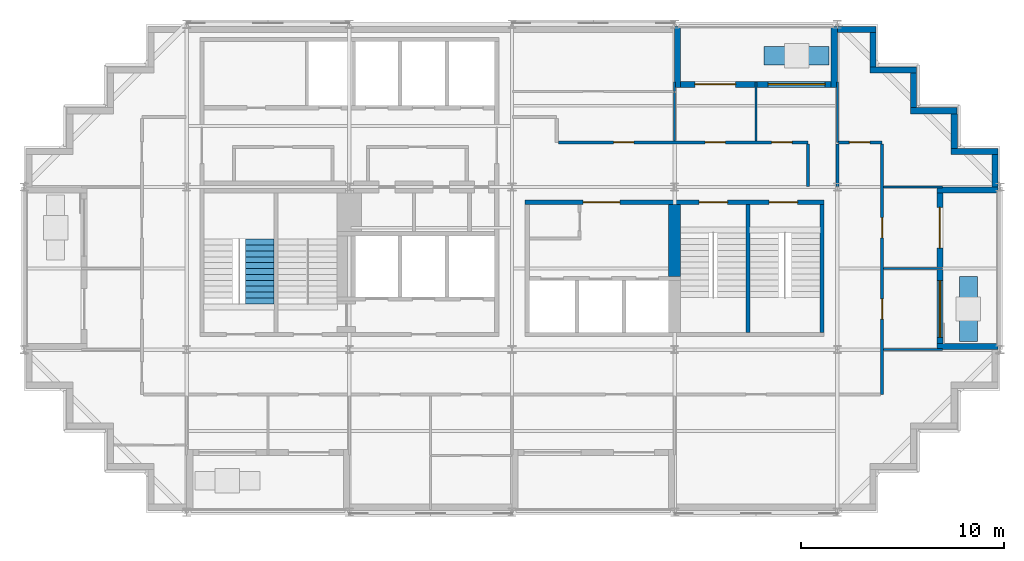
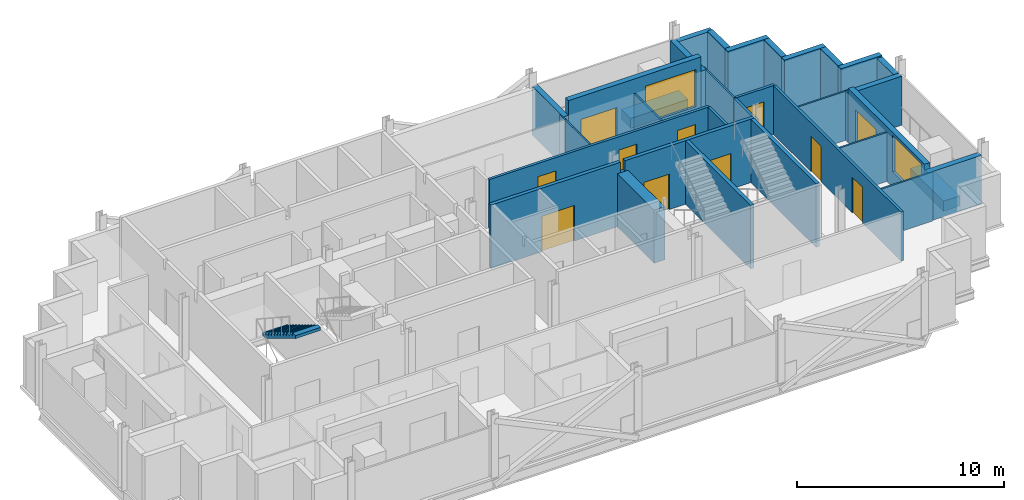
# One storey, part 7 of 10: 32 walls, 11 doors, 2 windows, 1 stair flight, 13 openings, 1 element without a shape of its own.
"""IFC4 building model written with IfcOpenShell, lengths in metres."""

from ifc_helpers import new_model, si_unit, direction, frame, frame_2d, origin, place, context, subcontext, project, spatial, polyline, rectangle, outline, extrude, material, layer, layer_set, type_object, element, fill, aggregate, save


model = new_model("IFC4")

# Units and contexts
model_context = context("Model", 3, precision=1e-05, world=origin(), true_north=direction((0.0, 1.0)))
body_context = subcontext(model_context, "Body", "Model", "MODEL_VIEW")
ifc_project = project(units=[si_unit("LENGTHUNIT", "METRE"), si_unit("AREAUNIT", "SQUARE_METRE"), si_unit("VOLUMEUNIT", "CUBIC_METRE"), si_unit("PLANEANGLEUNIT", "RADIAN"), si_unit("MASSUNIT", "GRAM", prefix="KILO")], contexts=[model_context])

# Site, building, storey
site_placement = place(None, origin())
site = spatial("IfcSite", under=ifc_project, at=site_placement, CompositionType="ELEMENT")
building_placement = place(site_placement, origin())
building = spatial("IfcBuilding", under=site, at=building_placement, Name="Immortelle Media Tower", CompositionType="ELEMENT")
storey_placement = place(building_placement, frame((0.0, 0.0, 237.0)))
storey = spatial("IfcBuildingStorey", under=building, at=storey_placement, Name="L51", CompositionType="ELEMENT", Elevation=237.0)

# Wall, openings, doors
ifc_material_1 = material(Name="Fire-rated gypsum board", Category="gypsum")
ifc_layer_1 = layer(ifc_material_1, 0.012451171875)
ifc_material_2 = material(Name="Steel ASTM A653 SS Gr 50 stud frame with mineral wool", Category="steel")
ifc_layer_2 = layer(ifc_material_2, 0.125)
ifc_layer_3 = layer(ifc_material_1, 0.012451171875)
ifc_layer_set_1 = layer_set([ifc_layer_1, ifc_layer_2, ifc_layer_3], Name="Steel ASTM A653 SS Gr 50 stud frame with mineral wool")
wall_type_1 = type_object("IfcWallType", Name="Corridor wall 150", PredefinedType="PARTITIONING", material=ifc_layer_set_1)
wall_1_placement = place(storey_placement, frame((42.199951171875, 5.800048828125, 0.0), z_axis=(0.0, 0.0, 1.0), x_axis=(0.0, 1.0, 0.0)))
wall_1 = element("IfcWall", 1, at=wall_1_placement, inside=storey, type_object=wall_type_1, Name="Partition L51-013", PredefinedType="PARTITIONING", context=body_context, shape_type="SweptSolid", body=[
    extrude(rectangle(XDim=12.324951171875, YDim=0.14990234375, at=frame_2d((6.16259765625, 0.0))), origin(), (0.0, 0.0, 1.0), 2.885009765625),
])
opening_1_placement = place(wall_1_placement, frame((4.699951171875, 0.0, 0.0), z_axis=(0.0, 0.0, 1.0), x_axis=(-1.0, 0.0, 0.0)))
opening_1 = element("IfcOpeningElement", 2, at=opening_1_placement, cuts=wall_1, Name="Opening O6-F012", PredefinedType="OPENING", context=body_context, shape_type="SweptSolid", body=[
    extrude(rectangle(XDim=1.0, YDim=2.10009765625, at=frame_2d((0.5, 1.050048828125))), frame((0.0, 0.0849609375, 0.0), z_axis=(0.0, -1.0, 0.0), x_axis=(1.0, 0.0, 0.0)), (0.0, 0.0, 1.0), 0.169921875),
])
opening_2_placement = place(wall_1_placement, frame((8.699951171875, 0.0, 0.0), z_axis=(0.0, 0.0, 1.0), x_axis=(-1.0, 0.0, 0.0)))
opening_2 = element("IfcOpeningElement", 3, at=opening_2_placement, cuts=wall_1, Name="Opening O6-F013", PredefinedType="OPENING", context=body_context, shape_type="SweptSolid", body=[
    extrude(rectangle(XDim=1.0, YDim=2.10009765625, at=frame_2d((0.5, 1.050048828125))), frame((0.0, 0.0849609375, 0.0), z_axis=(0.0, -1.0, 0.0), x_axis=(1.0, 0.0, 0.0)), (0.0, 0.0, 1.0), 0.169921875),
])
ifc_material_3 = material(Name="Timber veneered door leaf, galvanised steel frame ASTM A653", Category="steel")
door_type_1 = type_object("IfcDoorType", Name="Room door 1000 x 2100", OperationType="NOTDEFINED", PredefinedType="DOOR", material=ifc_material_3)
door_1_placement = place(opening_1_placement, origin())
door_1 = element("IfcDoor", 4, at=door_1_placement, inside=storey, type_object=door_type_1, Name="Door O6-F012", OperationType="SINGLE_SWING_LEFT", OverallHeight=2.10009765625, OverallWidth=1.0, PredefinedType="DOOR", context=body_context, shape_type="SweptSolid", body=[
    extrude(rectangle(XDim=1.0, YDim=2.10009765625, at=frame_2d((0.5, 1.050048828125))), frame((0.0, 0.02490234375, 0.0), z_axis=(0.0, -1.0, 0.0), x_axis=(1.0, 0.0, 0.0)), (0.0, 0.0, 1.0), 0.050048828125),
])
fill(opening_1, door_1)
door_2_placement = place(opening_2_placement, origin())
door_2 = element("IfcDoor", 5, at=door_2_placement, inside=storey, type_object=door_type_1, Name="Door O6-F013", OperationType="SINGLE_SWING_LEFT", OverallHeight=2.10009765625, OverallWidth=1.0, PredefinedType="DOOR", context=body_context, shape_type="SweptSolid", body=[
    extrude(rectangle(XDim=1.0, YDim=2.10009765625, at=frame_2d((0.5, 1.050048828125))), frame((0.0, 0.02490234375, 0.0), z_axis=(0.0, -1.0, 0.0), x_axis=(1.0, 0.0, 0.0)), (0.0, 0.0, 1.0), 0.050048828125),
])
fill(opening_2, door_2)

# Walls
for number, where, z_axis, x_axis, name in (
    (6, (38.550048828125, 16.030029296875, 0.0), (0.0, 0.0, 1.0), (0.0, 1.0, 0.0), "Partition L51-020"),
    (7, (40.0, 16.030029296875, 0.0), (0.0, 0.0, 1.0), (0.0, 1.0, 0.0), "Partition L51-021"),
):
    element("IfcWall", number, at=place(storey_placement, frame(where, z_axis=z_axis, x_axis=x_axis)), inside=storey, type_object=wall_type_1, Name=name, PredefinedType="PARTITIONING", context=body_context, shape_type="SweptSolid", body=[
        extrude(rectangle(XDim=2.094970703125, YDim=0.14990234375, at=frame_2d((1.04736328125, 0.0))), origin(), (0.0, 0.0, 1.0), 2.885009765625),
    ])

# Wall, openings, doors
wall_2_placement = place(storey_placement, frame((26.27490234375, 18.199951171875, 0.0), z_axis=(0.0, 0.0, 1.0), x_axis=(1.0, 0.0, 0.0)))
wall_2 = element("IfcWall", 8, at=wall_2_placement, inside=storey, type_object=wall_type_1, Name="Partition L51-022", PredefinedType="PARTITIONING", context=body_context, shape_type="SweptSolid", body=[
    extrude(rectangle(XDim=12.275146484375, YDim=0.14990234375, at=frame_2d((6.1376953125, 0.0))), origin(), (0.0, 0.0, 1.0), 2.885009765625),
])
opening_3_placement = place(wall_2_placement, frame((7.22509765625, 0.0, 0.0)))
opening_3 = element("IfcOpeningElement", 9, at=opening_3_placement, cuts=wall_2, Name="Opening O6-F016", PredefinedType="OPENING", context=body_context, shape_type="SweptSolid", body=[
    extrude(rectangle(XDim=1.0, YDim=2.10009765625, at=frame_2d((0.5, 1.050048828125))), frame((0.0, 0.0849609375, 0.0), z_axis=(0.0, -1.0, 0.0), x_axis=(1.0, 0.0, 0.0)), (0.0, 0.0, 1.0), 0.169921875),
])
opening_4_placement = place(wall_2_placement, frame((10.5, 0.0, 0.0)))
opening_4 = element("IfcOpeningElement", 10, at=opening_4_placement, cuts=wall_2, Name="Opening O6-F017", PredefinedType="OPENING", context=body_context, shape_type="SweptSolid", body=[
    extrude(rectangle(XDim=1.0, YDim=2.10009765625, at=frame_2d((0.5, 1.050048828125))), frame((0.0, 0.0849609375, 0.0), z_axis=(0.0, -1.0, 0.0), x_axis=(1.0, 0.0, 0.0)), (0.0, 0.0, 1.0), 0.169921875),
])
opening_5_placement = place(wall_2_placement, frame((2.72509765625, 0.0, 0.0)))
opening_5 = element("IfcOpeningElement", 11, at=opening_5_placement, cuts=wall_2, Name="Opening O6-F018", PredefinedType="OPENING", context=body_context, shape_type="SweptSolid", body=[
    extrude(rectangle(XDim=1.0, YDim=2.10009765625, at=frame_2d((0.5, 1.050048828125))), frame((0.0, 0.0849609375, 0.0), z_axis=(0.0, -1.0, 0.0), x_axis=(1.0, 0.0, 0.0)), (0.0, 0.0, 1.0), 0.169921875),
])
door_3_placement = place(opening_3_placement, origin())
door_3 = element("IfcDoor", 12, at=door_3_placement, inside=storey, type_object=door_type_1, Name="Door O6-F016", OperationType="SINGLE_SWING_RIGHT", OverallHeight=2.10009765625, OverallWidth=1.0, PredefinedType="DOOR", context=body_context, shape_type="SweptSolid", body=[
    extrude(rectangle(XDim=1.0, YDim=2.10009765625, at=frame_2d((0.5, 1.050048828125))), frame((0.0, 0.02490234375, 0.0), z_axis=(0.0, -1.0, 0.0), x_axis=(1.0, 0.0, 0.0)), (0.0, 0.0, 1.0), 0.050048828125),
])
fill(opening_3, door_3)
door_4_placement = place(opening_4_placement, origin())
door_4 = element("IfcDoor", 13, at=door_4_placement, inside=storey, type_object=door_type_1, Name="Door O6-F017", OperationType="SINGLE_SWING_LEFT", OverallHeight=2.10009765625, OverallWidth=1.0, PredefinedType="DOOR", context=body_context, shape_type="SweptSolid", body=[
    extrude(rectangle(XDim=1.0, YDim=2.10009765625, at=frame_2d((0.5, 1.050048828125))), frame((0.0, 0.02490234375, 0.0), z_axis=(0.0, -1.0, 0.0), x_axis=(1.0, 0.0, 0.0)), (0.0, 0.0, 1.0), 0.050048828125),
])
fill(opening_4, door_4)
door_5_placement = place(opening_5_placement, origin())
door_5 = element("IfcDoor", 14, at=door_5_placement, inside=storey, type_object=door_type_1, Name="Door O6-F018", OperationType="SINGLE_SWING_RIGHT", OverallHeight=2.10009765625, OverallWidth=1.0, PredefinedType="DOOR", context=body_context, shape_type="SweptSolid", body=[
    extrude(rectangle(XDim=1.0, YDim=2.10009765625, at=frame_2d((0.5, 1.050048828125))), frame((0.0, 0.02490234375, 0.0), z_axis=(0.0, -1.0, 0.0), x_axis=(1.0, 0.0, 0.0)), (0.0, 0.0, 1.0), 0.050048828125),
])
fill(opening_5, door_5)

# Wall, opening, door
wall_3_placement = place(storey_placement, frame((40.050048828125, 18.199951171875, 0.0), z_axis=(0.0, 0.0, 1.0), x_axis=(1.0, 0.0, 0.0)))
wall_3 = element("IfcWall", 15, at=wall_3_placement, inside=storey, type_object=wall_type_1, Name="Partition L51-026", PredefinedType="PARTITIONING", context=body_context, shape_type="SweptSolid", body=[
    extrude(rectangle(XDim=2.14990234375, YDim=0.14990234375, at=frame_2d((1.074951171875, 0.0))), origin(), (0.0, 0.0, 1.0), 2.885009765625),
])
opening_6_placement = place(wall_3_placement, frame((0.550048828125, 0.0, 0.0)))
opening_6 = element("IfcOpeningElement", 16, at=opening_6_placement, cuts=wall_3, Name="Opening O6-F015", PredefinedType="OPENING", context=body_context, shape_type="SweptSolid", body=[
    extrude(rectangle(XDim=1.0, YDim=2.10009765625, at=frame_2d((0.5, 1.050048828125))), frame((0.0, 0.0849609375, 0.0), z_axis=(0.0, -1.0, 0.0), x_axis=(1.0, 0.0, 0.0)), (0.0, 0.0, 1.0), 0.169921875),
])
door_6_placement = place(opening_6_placement, origin())
door_6 = element("IfcDoor", 17, at=door_6_placement, inside=storey, type_object=door_type_1, Name="Door O6-F015", OperationType="SINGLE_SWING_LEFT", OverallHeight=2.10009765625, OverallWidth=1.0, PredefinedType="DOOR", context=body_context, shape_type="SweptSolid", body=[
    extrude(rectangle(XDim=1.0, YDim=2.10009765625, at=frame_2d((0.5, 1.050048828125))), frame((0.0, 0.02490234375, 0.0), z_axis=(0.0, -1.0, 0.0), x_axis=(1.0, 0.0, 0.0)), (0.0, 0.0, 1.0), 0.050048828125),
])
fill(opening_6, door_6)

# Wall, openings, door, window
ifc_material_4 = material(Name="Pale aluminium cladding panel", Category="aluminium")
ifc_layer_4 = layer(ifc_material_4, 0.030029296875)
ifc_layer_5 = layer(ifc_material_2, 0.257568359375)
ifc_material_5 = material(Name="Moisture-resistant gypsum board", Category="gypsum")
ifc_layer_6 = layer(ifc_material_5, 0.012451171875)
ifc_layer_set_2 = layer_set([ifc_layer_4, ifc_layer_5, ifc_layer_6], Name="Steel ASTM A653 SS Gr 50 stud frame with mineral wool")
wall_type_2 = type_object("IfcWallType", Name="Facade wall 300", PredefinedType="SOLIDWALL", material=ifc_layer_set_2)
wall_4_placement = place(storey_placement, frame((45.050048828125, 8.300048828125, 0.0), z_axis=(0.0, 0.0, 1.0), x_axis=(0.0, 1.0, 0.0)))
wall_4 = element("IfcWall", 18, at=wall_4_placement, inside=storey, type_object=wall_type_2, Name="Loggia wall L51 E13", PredefinedType="SOLIDWALL", context=body_context, shape_type="SweptSolid", body=[
    extrude(rectangle(XDim=7.39990234375, YDim=0.300048828125, at=frame_2d((3.699951171875, 0.0))), origin(), (0.0, 0.0, 1.0), 3.222900390625),
])
opening_7_placement = place(wall_4_placement, frame((0.300048828125, 0.0, 0.89990234375)))
opening_7 = element("IfcOpeningElement", 19, at=opening_7_placement, cuts=wall_4, Name="Opening W12", PredefinedType="OPENING", context=body_context, shape_type="SweptSolid", body=[
    extrude(rectangle(XDim=2.800048828125, YDim=2.14990234375, at=frame_2d((1.39990234375, 1.074951171875))), frame((0.0, 0.159912109375, 0.0), z_axis=(0.0, -1.0, 0.0), x_axis=(1.0, 0.0, 0.0)), (0.0, 0.0, 1.0), 0.320068359375),
])
opening_8_placement = place(wall_4_placement, frame((4.699951171875, 0.0, 0.0)))
opening_8 = element("IfcOpeningElement", 20, at=opening_8_placement, cuts=wall_4, Name="Opening O6-E003", PredefinedType="OPENING", context=body_context, shape_type="SweptSolid", body=[
    extrude(rectangle(XDim=2.0, YDim=2.39990234375, at=frame_2d((1.0, 1.199951171875))), frame((0.0, 0.159912109375, 0.0), z_axis=(0.0, -1.0, 0.0), x_axis=(1.0, 0.0, 0.0)), (0.0, 0.0, 1.0), 0.320068359375),
])
ifc_material_6 = material(Name="Aluminium frame, glazed leaves", Category="aluminium")
door_type_2 = type_object("IfcDoorType", Name="Loggia door 2000 x 2400", OperationType="DOUBLE_DOOR_SINGLE_SWING", PredefinedType="DOOR", material=ifc_material_6)
door_7_placement = place(opening_8_placement, origin())
door_7 = element("IfcDoor", 21, at=door_7_placement, inside=storey, type_object=door_type_2, Name="Door O6-E003", OperationType="DOUBLE_DOOR_SINGLE_SWING", OverallHeight=2.39990234375, OverallWidth=2.0, PredefinedType="DOOR", context=body_context, shape_type="SweptSolid", body=[
    extrude(rectangle(XDim=2.0, YDim=2.39990234375, at=frame_2d((1.0, 1.199951171875))), frame((0.0, 0.02490234375, 0.0), z_axis=(0.0, -1.0, 0.0), x_axis=(1.0, 0.0, 0.0)), (0.0, 0.0, 1.0), 0.050048828125),
])
fill(opening_8, door_7)
ifc_material_7 = material(Name="Aluminium frame", Category="aluminium")
window_type_1 = type_object("IfcWindowType", Name="Window 2800 x 2150", PartitioningType="SINGLE_PANEL", PredefinedType="WINDOW", material=ifc_material_7)
window_1_placement = place(opening_7_placement, origin())
window_1 = element("IfcWindow", 22, at=window_1_placement, inside=storey, type_object=window_type_1, Name="Window L51 L51-R13-B0", OverallHeight=2.14990234375, OverallWidth=2.800048828125, PartitioningType="SINGLE_PANEL", PredefinedType="WINDOW", context=body_context, shape_type="SweptSolid", body=[
    extrude(rectangle(XDim=2.800048828125, YDim=2.14990234375, at=frame_2d((1.39990234375, 1.074951171875))), frame((0.0, 0.030029296875, 0.0), z_axis=(0.0, -1.0, 0.0), x_axis=(1.0, 0.0, 0.0)), (0.0, 0.0, 1.0), 0.06005859375),
])
fill(opening_7, window_1)

# Walls
for number, where, z_axis, x_axis, name in (
    (23, (47.89990234375, 8.14990234375, 0.0), (0.0, 0.0, 1.0), (-1.0, 0.0, 0.0), "Loggia cheek wall L51 E"),
    (24, (47.89990234375, 15.85009765625, 0.0), (0.0, 0.0, 1.0), (-1.0, 0.0, 0.0), "Loggia cheek wall L51 E"),
):
    element("IfcWall", number, at=place(storey_placement, frame(where, z_axis=z_axis, x_axis=x_axis)), inside=storey, type_object=wall_type_2, Name=name, PredefinedType="SOLIDWALL", context=body_context, shape_type="SweptSolid", body=[
        extrude(rectangle(XDim=3.0, YDim=0.300048828125, at=frame_2d((1.5, 0.0))), origin(), (0.0, 0.0, 1.0), 2.889892578125),
    ])
wall_5_placement = place(storey_placement, frame((47.75, 16.0, 0.0), z_axis=(0.0, 0.0, 1.0), x_axis=(0.0, 1.0, 0.0)))
element("IfcWall", 25, at=wall_5_placement, inside=storey, type_object=wall_type_2, Name="Facade wall L51 E13", PredefinedType="SOLIDWALL", context=body_context, shape_type="SweptSolid", body=[
    extrude(rectangle(XDim=1.60009765625, YDim=0.300048828125, at=frame_2d((0.800048828125, 0.0))), origin(), (0.0, 0.0, 1.0), 2.889892578125),
])
wall_6_placement = place(storey_placement, frame((47.89990234375, 17.75, 0.0), z_axis=(0.0, 0.0, 1.0), x_axis=(-1.0, 0.0, 0.0)))
element("IfcWall", 26, at=wall_6_placement, inside=storey, type_object=wall_type_2, Name="Facade wall L51 N14", PredefinedType="SOLIDWALL", context=body_context, shape_type="SweptSolid", body=[
    extrude(rectangle(XDim=2.2998046875, YDim=0.300048828125, at=frame_2d((1.14990234375, 0.0))), origin(), (0.0, 0.0, 1.0), 2.968994140625),
])
wall_7_placement = place(storey_placement, frame((45.75, 17.89990234375, 0.0), z_axis=(0.0, 0.0, 1.0), x_axis=(0.0, 1.0, 0.0)))
element("IfcWall", 27, at=wall_7_placement, inside=storey, type_object=wall_type_2, Name="Facade wall L51 E15", PredefinedType="SOLIDWALL", context=body_context, shape_type="SweptSolid", body=[
    extrude(rectangle(XDim=1.7001953125, YDim=0.300048828125, at=frame_2d((0.85009765625, 0.0))), origin(), (0.0, 0.0, 1.0), 2.968994140625),
])
wall_8_placement = place(storey_placement, frame((45.89990234375, 19.75, 0.0), z_axis=(0.0, 0.0, 1.0), x_axis=(-1.0, 0.0, 0.0)))
element("IfcWall", 28, at=wall_8_placement, inside=storey, type_object=wall_type_2, Name="Facade wall L51 N16", PredefinedType="SOLIDWALL", context=body_context, shape_type="SweptSolid", body=[
    extrude(rectangle(XDim=2.2998046875, YDim=0.300048828125, at=frame_2d((1.14990234375, 0.0))), origin(), (0.0, 0.0, 1.0), 2.968994140625),
])
wall_9_placement = place(storey_placement, frame((43.75, 19.89990234375, 0.0), z_axis=(0.0, 0.0, 1.0), x_axis=(0.0, 1.0, 0.0)))
element("IfcWall", 29, at=wall_9_placement, inside=storey, type_object=wall_type_2, Name="Facade wall L51 E17", PredefinedType="SOLIDWALL", context=body_context, shape_type="SweptSolid", body=[
    extrude(rectangle(XDim=1.7001953125, YDim=0.300048828125, at=frame_2d((0.85009765625, 0.0))), origin(), (0.0, 0.0, 1.0), 2.968994140625),
])
wall_10_placement = place(storey_placement, frame((43.89990234375, 21.75, 0.0), z_axis=(0.0, 0.0, 1.0), x_axis=(-1.0, 0.0, 0.0)))
element("IfcWall", 30, at=wall_10_placement, inside=storey, type_object=wall_type_2, Name="Facade wall L51 N18", PredefinedType="SOLIDWALL", context=body_context, shape_type="SweptSolid", body=[
    extrude(rectangle(XDim=2.2998046875, YDim=0.300048828125, at=frame_2d((1.14990234375, 0.0))), origin(), (0.0, 0.0, 1.0), 2.968994140625),
])
wall_11_placement = place(storey_placement, frame((41.75, 21.89990234375, 0.0), z_axis=(0.0, 0.0, 1.0), x_axis=(0.0, 1.0, 0.0)))
element("IfcWall", 31, at=wall_11_placement, inside=storey, type_object=wall_type_2, Name="Facade wall L51 E19", PredefinedType="SOLIDWALL", context=body_context, shape_type="SweptSolid", body=[
    extrude(rectangle(XDim=1.7001953125, YDim=0.300048828125, at=frame_2d((0.85009765625, 0.0))), origin(), (0.0, 0.0, 1.0), 2.968994140625),
])
wall_12_placement = place(storey_placement, frame((41.89990234375, 23.75, 0.0), z_axis=(0.0, 0.0, 1.0), x_axis=(-1.0, 0.0, 0.0)))
element("IfcWall", 32, at=wall_12_placement, inside=storey, type_object=wall_type_2, Name="Facade wall L51 N20", PredefinedType="SOLIDWALL", context=body_context, shape_type="SweptSolid", body=[
    extrude(rectangle(XDim=1.89990234375, YDim=0.300048828125, at=frame_2d((0.949951171875, 0.0))), origin(), (0.0, 0.0, 1.0), 2.889892578125),
])

# Wall, openings, door, window
wall_13_placement = place(storey_placement, frame((39.699951171875, 21.050048828125, 0.0), z_axis=(0.0, 0.0, 1.0), x_axis=(-1.0, 0.0, 0.0)))
wall_13 = element("IfcWall", 33, at=wall_13_placement, inside=storey, type_object=wall_type_2, Name="Loggia wall L51 N20", PredefinedType="SOLIDWALL", context=body_context, shape_type="SweptSolid", body=[
    extrude(rectangle(XDim=7.39990234375, YDim=0.300048828125, at=frame_2d((3.699951171875, 0.0))), origin(), (0.0, 0.0, 1.0), 3.75),
])
opening_9_placement = place(wall_13_placement, frame((0.300048828125, 0.0, 0.89990234375)))
opening_9 = element("IfcOpeningElement", 34, at=opening_9_placement, cuts=wall_13, Name="Opening W1", PredefinedType="OPENING", context=body_context, shape_type="SweptSolid", body=[
    extrude(rectangle(XDim=2.800048828125, YDim=2.199951171875, at=frame_2d((1.39990234375, 1.10009765625))), frame((0.0, 0.159912109375, 0.0), z_axis=(0.0, -1.0, 0.0), x_axis=(1.0, 0.0, 0.0)), (0.0, 0.0, 1.0), 0.320068359375),
])
opening_10_placement = place(wall_13_placement, frame((4.699951171875, 0.0, 0.0)))
opening_10 = element("IfcOpeningElement", 35, at=opening_10_placement, cuts=wall_13, Name="Opening O6-E004", PredefinedType="OPENING", context=body_context, shape_type="SweptSolid", body=[
    extrude(rectangle(XDim=2.0, YDim=2.39990234375, at=frame_2d((1.0, 1.199951171875))), frame((0.0, 0.159912109375, 0.0), z_axis=(0.0, -1.0, 0.0), x_axis=(1.0, 0.0, 0.0)), (0.0, 0.0, 1.0), 0.320068359375),
])
door_8_placement = place(opening_10_placement, origin())
door_8 = element("IfcDoor", 36, at=door_8_placement, inside=storey, type_object=door_type_2, Name="Door O6-E004", OperationType="DOUBLE_DOOR_SINGLE_SWING", OverallHeight=2.39990234375, OverallWidth=2.0, PredefinedType="DOOR", context=body_context, shape_type="SweptSolid", body=[
    extrude(rectangle(XDim=2.0, YDim=2.39990234375, at=frame_2d((1.0, 1.199951171875))), frame((0.0, 0.02490234375, 0.0), z_axis=(0.0, -1.0, 0.0), x_axis=(1.0, 0.0, 0.0)), (0.0, 0.0, 1.0), 0.050048828125),
])
fill(opening_10, door_8)
window_type_2 = type_object("IfcWindowType", Name="Window 2800 x 2200", PartitioningType="SINGLE_PANEL", PredefinedType="WINDOW", material=ifc_material_7)
window_2_placement = place(opening_9_placement, origin())
window_2 = element("IfcWindow", 37, at=window_2_placement, inside=storey, type_object=window_type_2, Name="Window L51 L51-R20-B0", OverallHeight=2.199951171875, OverallWidth=2.800048828125, PartitioningType="SINGLE_PANEL", PredefinedType="WINDOW", context=body_context, shape_type="SweptSolid", body=[
    extrude(rectangle(XDim=2.800048828125, YDim=2.199951171875, at=frame_2d((1.39990234375, 1.10009765625))), frame((0.0, 0.030029296875, 0.0), z_axis=(0.0, -1.0, 0.0), x_axis=(1.0, 0.0, 0.0)), (0.0, 0.0, 1.0), 0.06005859375),
])
fill(opening_9, window_2)

# Walls
for number, where, z_axis, x_axis, name in (
    (38, (39.85009765625, 23.89990234375, 0.0), (0.0, 0.0, 1.0), (0.0, -1.0, 0.0), "Loggia cheek wall L51 N"),
    (39, (32.14990234375, 23.89990234375, 0.0), (0.0, 0.0, 1.0), (0.0, -1.0, 0.0), "Loggia cheek wall L51 N"),
):
    element("IfcWall", number, at=place(storey_placement, frame(where, z_axis=z_axis, x_axis=x_axis)), inside=storey, type_object=wall_type_2, Name=name, PredefinedType="SOLIDWALL", context=body_context, shape_type="SweptSolid", body=[
        extrude(rectangle(XDim=3.0, YDim=0.300048828125, at=frame_2d((1.5, 0.0))), origin(), (0.0, 0.0, 1.0), 2.889892578125),
    ])
ifc_material_8 = material(Name="Gypsum board", Category="gypsum")
ifc_layer_7 = layer(ifc_material_8, 0.012451171875)
ifc_layer_8 = layer(ifc_material_2, 0.074951171875)
ifc_layer_9 = layer(ifc_material_8, 0.012451171875)
ifc_layer_set_3 = layer_set([ifc_layer_7, ifc_layer_8, ifc_layer_9], Name="Steel ASTM A653 SS Gr 50 stud frame with mineral wool")
wall_type_3 = type_object("IfcWallType", Name="Partition 100", PredefinedType="PARTITIONING", material=ifc_layer_set_3)
for number, where, z_axis, x_axis, name in (
    (40, (42.27490234375, 8.0, 0.0), (0.0, 0.0, 1.0), (1.0, 0.0, 0.0), "Partition L51-015"),
    (41, (42.27490234375, 12.0, 0.0), (0.0, 0.0, 1.0), (1.0, 0.0, 0.0), "Partition L51-017"),
    (42, (42.27490234375, 16.0, 0.0), (0.0, 0.0, 1.0), (1.0, 0.0, 0.0), "Partition L51-019"),
):
    element("IfcWall", number, at=place(storey_placement, frame(where, z_axis=z_axis, x_axis=x_axis)), inside=storey, type_object=wall_type_3, Name=name, PredefinedType="PARTITIONING", context=body_context, shape_type="SweptSolid", body=[
        extrude(rectangle(XDim=2.89501953125, YDim=0.10009765625, at=frame_2d((1.447509765625, 0.0))), origin(), (0.0, 0.0, 1.0), 2.885009765625),
    ])
wall_14_placement = place(storey_placement, frame((32.0, 18.27490234375, 0.0), z_axis=(0.0, 0.0, 1.0), x_axis=(0.0, 1.0, 0.0)))
element("IfcWall", 43, at=wall_14_placement, inside=storey, type_object=wall_type_3, Name="Partition L51-024", PredefinedType="PARTITIONING", context=body_context, shape_type="SweptSolid", body=[
    extrude(rectangle(XDim=2.375, YDim=0.10009765625, at=frame_2d((1.1875, 0.0))), origin(), (0.0, 0.0, 1.0), 2.885009765625),
])
wall_15_placement = place(storey_placement, frame((36.0, 18.27490234375, 0.0), z_axis=(0.0, 0.0, 1.0), x_axis=(0.0, 1.0, 0.0)))
element("IfcWall", 44, at=wall_15_placement, inside=storey, type_object=wall_type_3, Name="Partition L51-025", PredefinedType="PARTITIONING", context=body_context, shape_type="SweptSolid", body=[
    extrude(rectangle(XDim=2.89501953125, YDim=0.10009765625, at=frame_2d((1.447509765625, 0.0))), origin(), (0.0, 0.0, 1.0), 2.885009765625),
])
wall_16_placement = place(storey_placement, frame((40.0, 18.199951171875, 0.0), z_axis=(0.0, 0.0, 1.0), x_axis=(0.0, 1.0, 0.0)))
element("IfcWall", 45, at=wall_16_placement, inside=storey, type_object=wall_type_3, Name="Partition L51-027", PredefinedType="PARTITIONING", context=body_context, shape_type="SweptSolid", body=[
    extrude(rectangle(XDim=2.969970703125, YDim=0.10009765625, at=frame_2d((1.48486328125, 0.0))), origin(), (0.0, 0.0, 1.0), 2.885009765625),
])
wall_17_placement = place(storey_placement, frame((32.0, 20.699951171875, 0.0), z_axis=(0.0, 0.0, 1.0), x_axis=(0.0, 1.0, 0.0)))
element("IfcWall", 46, at=wall_17_placement, inside=storey, type_object=wall_type_3, Name="Partition L51-031", PredefinedType="PARTITIONING", context=body_context, shape_type="SweptSolid", body=[
    extrude(rectangle(XDim=0.469970703125, YDim=0.10009765625, at=frame_2d((0.23486328125, 0.0))), origin(), (0.0, 0.0, 1.0), 2.885009765625),
])
ifc_layer_10 = layer(ifc_material_4, 0.0029296875)
ifc_material_9 = material(Name="Steel ASTM A572 Gr 50 planter shell", Category="steel")
ifc_layer_11 = layer(ifc_material_9, 0.011962890625)
ifc_material_10 = material(Name="Planting substrate", Category="soil")
ifc_layer_12 = layer(ifc_material_10, 0.873046875)
ifc_layer_13 = layer(ifc_material_9, 0.011962890625)
ifc_layer_set_4 = layer_set([ifc_layer_10, ifc_layer_11, ifc_layer_12, ifc_layer_13], Name="Steel ASTM A572 Gr 50 planter shell")
wall_type_4 = type_object("IfcWallType", Name="Planter wall 900", PredefinedType="SOLIDWALL", material=ifc_layer_set_4)
for number, where, z_axis, x_axis, name in (
    (47, (46.449951171875, 8.39990234375, 0.0), (0.0, 0.0, 1.0), (0.0, 1.0, 0.0), "Planter L51 E0"),
    (48, (39.60009765625, 22.449951171875, 0.0), (0.0, 0.0, 1.0), (-1.0, 0.0, 0.0), "Planter L51 N0"),
):
    element("IfcWall", number, at=place(storey_placement, frame(where, z_axis=z_axis, x_axis=x_axis)), inside=storey, type_object=wall_type_4, Name=name, PredefinedType="SOLIDWALL", context=body_context, shape_type="SweptSolid", body=[
        extrude(rectangle(XDim=3.2001953125, YDim=0.89990234375, at=frame_2d((1.60009765625, 0.0))), origin(), (0.0, 0.0, 1.0), 0.60009765625),
    ])

# Wall, openings, doors
ifc_material_11 = material(Name="Concrete C60", Category="concrete")
ifc_layer_14 = layer(ifc_material_11, 0.199951171875)
ifc_layer_set_5 = layer_set([ifc_layer_14], Name="Concrete C60")
wall_type_5 = type_object("IfcWallType", Name="Stair shaft wall 200", PredefinedType="PARTITIONING", material=ifc_layer_set_5)
wall_18_placement = place(storey_placement, frame((24.64990234375, 15.25, 0.0), z_axis=(0.0, 0.0, 1.0), x_axis=(1.0, 0.0, 0.0)))
wall_18 = element("IfcWall", 49, at=wall_18_placement, inside=storey, type_object=wall_type_5, Name="Stair shaft wall SE", PredefinedType="PARTITIONING", context=body_context, shape_type="SweptSolid", body=[
    extrude(outline(polyline([(0.0, 0.0), (14.7001953125, 0.0), (14.699951171875, 3.75), (7.469482421875, 3.75), (7.468505859375, 3.132080078125), (7.2314453125, 3.132080078125), (7.23046875, 3.75), (0.0, 3.75), (0.0, 0.0)])), frame((0.0, 0.10009765625, 0.0), z_axis=(0.0, -1.0, 0.0), x_axis=(1.0, 0.0, 0.0)), (0.0, 0.0, 1.0), 0.199951171875),
])
opening_11_placement = place(wall_18_placement, frame((2.85009765625, 0.0, 0.0)))
opening_11 = element("IfcOpeningElement", 50, at=opening_11_placement, cuts=wall_18, Name="Opening O6-K023", PredefinedType="OPENING", context=body_context, shape_type="SweptSolid", body=[
    extrude(rectangle(XDim=1.800048828125, YDim=2.10009765625, at=frame_2d((0.89990234375, 1.050048828125))), frame((0.0, 0.10986328125, 0.0), z_axis=(0.0, -1.0, 0.0), x_axis=(1.0, 0.0, 0.0)), (0.0, 0.0, 1.0), 0.219970703125),
])
opening_12_placement = place(wall_18_placement, frame((9.949951171875, 0.0, 0.0), z_axis=(0.0, 0.0, 1.0), x_axis=(-1.0, 0.0, 0.0)))
opening_12 = element("IfcOpeningElement", 51, at=opening_12_placement, cuts=wall_18, Name="Opening O6-K025", PredefinedType="OPENING", context=body_context, shape_type="SweptSolid", body=[
    extrude(rectangle(XDim=1.39990234375, YDim=2.10009765625, at=frame_2d((0.699951171875, 1.050048828125))), frame((0.0, 0.10986328125, 0.0), z_axis=(0.0, -1.0, 0.0), x_axis=(1.0, 0.0, 0.0)), (0.0, 0.0, 1.0), 0.219970703125),
])
opening_13_placement = place(wall_18_placement, frame((13.39990234375, 0.0, 0.0), z_axis=(0.0, 0.0, 1.0), x_axis=(-1.0, 0.0, 0.0)))
opening_13 = element("IfcOpeningElement", 52, at=opening_13_placement, cuts=wall_18, Name="Opening O6-K026", PredefinedType="OPENING", context=body_context, shape_type="SweptSolid", body=[
    extrude(rectangle(XDim=1.39990234375, YDim=2.10009765625, at=frame_2d((0.699951171875, 1.050048828125))), frame((0.0, 0.10986328125, 0.0), z_axis=(0.0, -1.0, 0.0), x_axis=(1.0, 0.0, 0.0)), (0.0, 0.0, 1.0), 0.219970703125),
])
ifc_material_12 = material(Name="Galvanised steel door leaf and frame ASTM A653", Category="steel")
door_type_3 = type_object("IfcDoorType", Name="Lift lobby door 1800 x 2100", OperationType="DOUBLE_DOOR_SINGLE_SWING", PredefinedType="NOTDEFINED", material=ifc_material_12)
door_9_placement = place(opening_11_placement, origin())
door_9 = element("IfcDoor", 53, at=door_9_placement, inside=storey, type_object=door_type_3, Name="Lift lobby O6-K023", OperationType="DOUBLE_DOOR_SINGLE_SWING", OverallHeight=2.10009765625, OverallWidth=1.800048828125, PredefinedType="NOTDEFINED", context=body_context, shape_type="SweptSolid", body=[
    extrude(rectangle(XDim=1.800048828125, YDim=2.10009765625, at=frame_2d((0.89990234375, 1.050048828125))), frame((0.0, 0.02490234375, 0.0), z_axis=(0.0, -1.0, 0.0), x_axis=(1.0, 0.0, 0.0)), (0.0, 0.0, 1.0), 0.050048828125),
])
fill(opening_11, door_9)
door_type_4 = type_object("IfcDoorType", Name="Stair door 1400 x 2100", OperationType="DOUBLE_DOOR_SINGLE_SWING", PredefinedType="NOTDEFINED", material=ifc_material_12)
door_10_placement = place(opening_12_placement, origin())
door_10 = element("IfcDoor", 54, at=door_10_placement, inside=storey, type_object=door_type_4, Name="Stair O6-K025", OperationType="DOUBLE_DOOR_SINGLE_SWING", OverallHeight=2.10009765625, OverallWidth=1.39990234375, PredefinedType="NOTDEFINED", context=body_context, shape_type="SweptSolid", body=[
    extrude(rectangle(XDim=1.39990234375, YDim=2.10009765625, at=frame_2d((0.699951171875, 1.050048828125))), frame((0.0, 0.02490234375, 0.0), z_axis=(0.0, -1.0, 0.0), x_axis=(1.0, 0.0, 0.0)), (0.0, 0.0, 1.0), 0.050048828125),
])
fill(opening_12, door_10)
door_11_placement = place(opening_13_placement, origin())
door_11 = element("IfcDoor", 55, at=door_11_placement, inside=storey, type_object=door_type_4, Name="Stair O6-K026", OperationType="DOUBLE_DOOR_SINGLE_SWING", OverallHeight=2.10009765625, OverallWidth=1.39990234375, PredefinedType="NOTDEFINED", context=body_context, shape_type="SweptSolid", body=[
    extrude(rectangle(XDim=1.39990234375, YDim=2.10009765625, at=frame_2d((0.699951171875, 1.050048828125))), frame((0.0, 0.02490234375, 0.0), z_axis=(0.0, -1.0, 0.0), x_axis=(1.0, 0.0, 0.0)), (0.0, 0.0, 1.0), 0.050048828125),
])
fill(opening_13, door_11)

# Walls
for number, where, z_axis, x_axis, name in (
    (56, (35.60009765625, 8.85009765625, 0.0), (0.0, 0.0, 1.0), (0.0, 1.0, 0.0), "Stair shaft wall SE"),
    (57, (39.25, 8.85009765625, 0.0), (0.0, 0.0, 1.0), (0.0, 1.0, 0.0), "Stair shaft wall SE"),
):
    element("IfcWall", number, at=place(storey_placement, frame(where, z_axis=z_axis, x_axis=x_axis)), inside=storey, type_object=wall_type_5, Name=name, PredefinedType="PARTITIONING", context=body_context, shape_type="SweptSolid", body=[
        extrude(rectangle(XDim=6.2998046875, YDim=0.199951171875, at=frame_2d((3.14990234375, 0.0))), origin(), (0.0, 0.0, 1.0), 3.75),
    ])
ifc_layer_15 = layer(ifc_material_11, 0.60009765625)
ifc_layer_set_6 = layer_set([ifc_layer_15], Name="Concrete C60")
wall_type_6 = type_object("IfcWallType", Name="Stair shaft wall 600", PredefinedType="PARTITIONING", material=ifc_layer_set_6)
wall_19_placement = place(storey_placement, frame((32.0, 11.60009765625, 0.0), z_axis=(0.0, 0.0, 1.0), x_axis=(0.0, 1.0, 0.0)))
element("IfcWall", 58, at=wall_19_placement, inside=storey, type_object=wall_type_6, Name="Stair shaft wall SE", PredefinedType="PARTITIONING", context=body_context, shape_type="SweptSolid", body=[
    extrude(rectangle(XDim=3.5498046875, YDim=0.60009765625, at=frame_2d((1.77490234375, 0.0))), origin(), (0.0, 0.0, 1.0), 3.132080078125),
])

# Stair, stair flight
ifc_material_13 = material(Name="Steel ASTM A992 Gr 50", Category="steel")
stair_type = type_object("IfcStairType", Name="Stair with flights", PredefinedType="DOUBLE_RETURN_STAIR", material=ifc_material_13)
stair_placement = place(storey_placement, origin())
stair = element("IfcStair", 59, at=stair_placement, inside=storey, type_object=stair_type, Name="Exit stair SW1", PredefinedType="DOUBLE_RETURN_STAIR")
stair_flight_type = type_object("IfcStairFlightType", Name="Stair flight 1400", PredefinedType="STRAIGHT", material=ifc_material_13)
stair_flight_placement = place(storey_placement, frame((11.60009765625, 13.43994140625, 1.9130859375), z_axis=(0.0, 0.0, 1.0), x_axis=(0.0, -1.0, 0.0)))
stair_flight = element("IfcStairFlight", 60, at=stair_flight_placement, type_object=stair_flight_type, Name="ST SW1 flight 2", NumberOfRisers=12, NumberOfTreads=11, PredefinedType="STRAIGHT", RiserHeight=0.173913043, TreadLength=0.29, context=body_context, shape_type="SweptSolid", body=[
    extrude(outline(polyline([(0.0, 0.0), (0.0, 0.173828125), (0.2900390625, 0.173828125), (0.2900390625, 0.347900390625), (0.580078125, 0.347900390625), (0.580078125, 0.521728515625), (0.8701171875, 0.521728515625), (0.8701171875, 0.695556640625), (1.159912109375, 0.695556640625), (1.159912109375, 0.86962890625), (1.449951171875, 0.86962890625), (1.449951171875, 1.04345703125), (1.739990234375, 1.04345703125), (1.739990234375, 1.21728515625), (2.030029296875, 1.21728515625), (2.030029296875, 1.391357421875), (2.320068359375, 1.391357421875), (2.320068359375, 1.565185546875), (2.610107421875, 1.565185546875), (2.610107421875, 1.739013671875), (2.89990234375, 1.739013671875), (2.89990234375, 1.9130859375), (3.18994140625, 1.9130859375), (3.18994140625, 2.0869140625), (3.18994140625, 1.73828125), (0.29150390625, 0.0), (0.0, 0.0)])), frame((0.0, 0.699951171875, 0.0), z_axis=(0.0, -1.0, 0.0), x_axis=(1.0, 0.0, 0.0)), (0.0, 0.0, 1.0), 1.39990234375),
])
aggregate(stair, [stair_flight])

save(model, "model.ifc")
